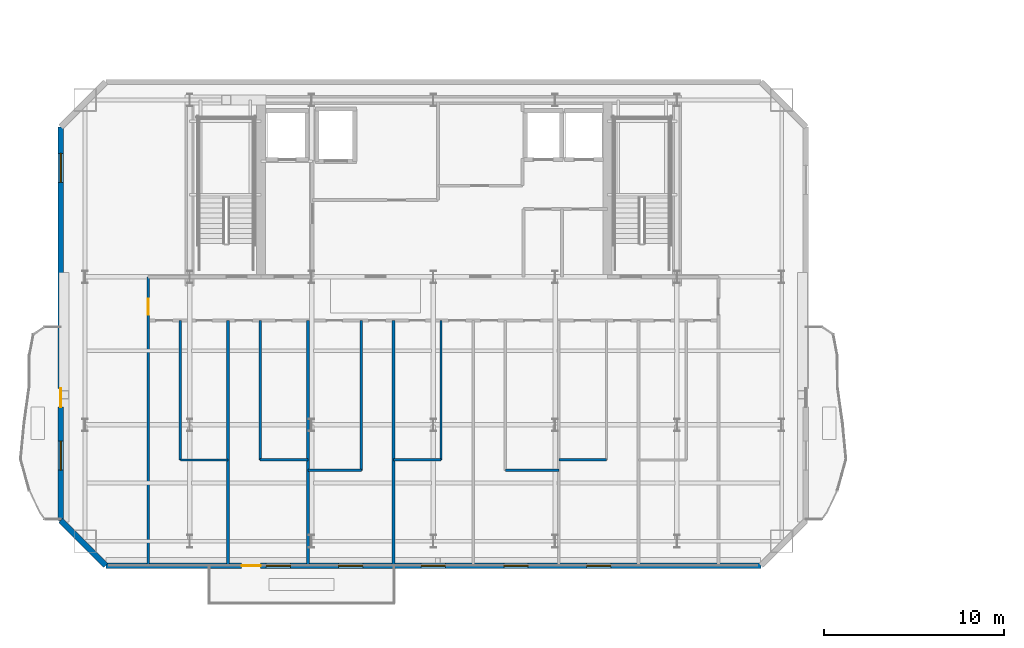
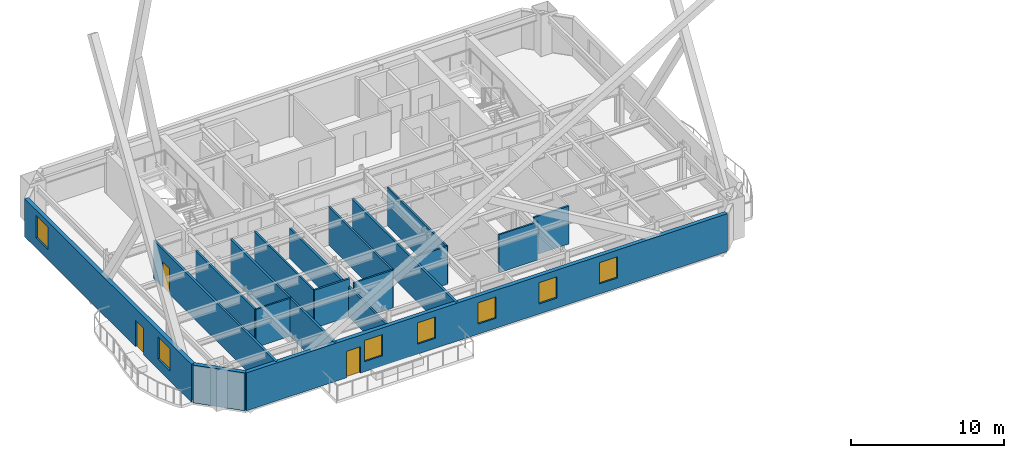
# One storey, part 10 of 20: 17 walls, 7 windows, 3 doors, 10 openings.
"""IFC4 building model written with IfcOpenShell, lengths in metres."""

from ifc_helpers import new_model, si_unit, direction, frame, frame_2d, origin, place, context, subcontext, project, spatial, rectangle, extrude, material, layer, layer_set, type_object, element, fill, save


model = new_model("IFC4")

# Units and contexts
model_context = context("Model", 3, precision=1e-05, world=origin(), true_north=direction((0.0, 1.0)))
body_context = subcontext(model_context, "Body", "Model", "MODEL_VIEW")
ifc_project = project(units=[si_unit("LENGTHUNIT", "METRE"), si_unit("AREAUNIT", "SQUARE_METRE"), si_unit("VOLUMEUNIT", "CUBIC_METRE"), si_unit("PLANEANGLEUNIT", "RADIAN"), si_unit("MASSUNIT", "GRAM", prefix="KILO")], contexts=[model_context])

# Site, building, storey
site_placement = place(None, origin())
site = spatial("IfcSite", under=ifc_project, at=site_placement, CompositionType="ELEMENT")
building_placement = place(site_placement, origin())
building = spatial("IfcBuilding", under=site, at=building_placement, Name="Haevon Station Towers", CompositionType="ELEMENT")
storey_placement = place(building_placement, frame((0.0, 0.0, 175.800048828125)))
storey = spatial("IfcBuildingStorey", under=building, at=storey_placement, Name="L48", CompositionType="ELEMENT", Elevation=175.800048828125)

# Wall, openings, door, windows
ifc_material_1 = material(Name="Precast concrete C45/55", Category="concrete")
ifc_layer_1 = layer(ifc_material_1, 0.300048828125)
ifc_layer_set_1 = layer_set([ifc_layer_1], Name="Precast concrete C45/55")
wall_type_1 = type_object("IfcWallType", Name="WL-EXT-PIER300", PredefinedType="SOLIDWALL", material=ifc_layer_set_1)
wall_1_placement = place(storey_placement, frame((55.64990234375, 22.199951171875, 0.0), z_axis=(0.0, 0.0, 1.0), x_axis=(-1.0, 0.0, 0.0)))
wall_1 = element("IfcWall", 1, at=wall_1_placement, inside=storey, type_object=wall_type_1, Name="WL-T1-L48-S", PredefinedType="SOLIDWALL", context=body_context, shape_type="SweptSolid", body=[
    extrude(rectangle(XDim=36.2998046875, YDim=0.300048828125, at=frame_2d((18.14990234375, 0.0))), origin(), (0.0, 0.0, 1.0), 3.030029296875),
])
opening_1_placement = place(wall_1_placement, frame((27.718505859375, 0.0, 0.0)))
opening_1 = element("IfcOpeningElement", 2, at=opening_1_placement, cuts=wall_1, Name="Opening DR-T1-PBAND-L48-1", PredefinedType="OPENING", context=body_context, shape_type="SweptSolid", body=[
    extrude(rectangle(XDim=1.050048828125, YDim=2.10009765625, at=frame_2d((0.52490234375, 1.050048828125))), frame((0.0, 0.159912109375, 0.0), z_axis=(0.0, -1.0, 0.0), x_axis=(1.0, 0.0, 0.0)), (0.0, 0.0, 1.0), 0.320068359375),
])
opening_2_placement = place(wall_1_placement, frame((26.060546875, 0.0, 0.800048828125)))
opening_2 = element("IfcOpeningElement", 3, at=opening_2_placement, cuts=wall_1, Name="Opening WN-P135", PredefinedType="OPENING", context=body_context, shape_type="SweptSolid", body=[
    extrude(rectangle(XDim=1.35009765625, YDim=1.699951171875, at=frame_2d((0.675048828125, 0.85009765625))), frame((0.0, 0.159912109375, 0.0), z_axis=(0.0, -1.0, 0.0), x_axis=(1.0, 0.0, 0.0)), (0.0, 0.0, 1.0), 0.320068359375),
])
opening_3_placement = place(wall_1_placement, frame((22.056884765625, 0.0, 0.800048828125)))
opening_3 = element("IfcOpeningElement", 4, at=opening_3_placement, cuts=wall_1, Name="Opening WN-P135", PredefinedType="OPENING", context=body_context, shape_type="SweptSolid", body=[
    extrude(rectangle(XDim=1.35009765625, YDim=1.699951171875, at=frame_2d((0.675048828125, 0.85009765625))), frame((0.0, 0.159912109375, 0.0), z_axis=(0.0, -1.0, 0.0), x_axis=(1.0, 0.0, 0.0)), (0.0, 0.0, 1.0), 0.320068359375),
])
opening_4_placement = place(wall_1_placement, frame((17.47509765625, 0.0, 0.800048828125)))
opening_4 = element("IfcOpeningElement", 5, at=opening_4_placement, cuts=wall_1, Name="Opening WN-P135", PredefinedType="OPENING", context=body_context, shape_type="SweptSolid", body=[
    extrude(rectangle(XDim=1.35009765625, YDim=1.699951171875, at=frame_2d((0.675048828125, 0.85009765625))), frame((0.0, 0.159912109375, 0.0), z_axis=(0.0, -1.0, 0.0), x_axis=(1.0, 0.0, 0.0)), (0.0, 0.0, 1.0), 0.320068359375),
])
opening_5_placement = place(wall_1_placement, frame((12.89306640625, 0.0, 0.800048828125)))
opening_5 = element("IfcOpeningElement", 6, at=opening_5_placement, cuts=wall_1, Name="Opening WN-P135", PredefinedType="OPENING", context=body_context, shape_type="SweptSolid", body=[
    extrude(rectangle(XDim=1.35009765625, YDim=1.699951171875, at=frame_2d((0.675048828125, 0.85009765625))), frame((0.0, 0.159912109375, 0.0), z_axis=(0.0, -1.0, 0.0), x_axis=(1.0, 0.0, 0.0)), (0.0, 0.0, 1.0), 0.320068359375),
])
opening_6_placement = place(wall_1_placement, frame((8.31103515625, 0.0, 0.800048828125)))
opening_6 = element("IfcOpeningElement", 7, at=opening_6_placement, cuts=wall_1, Name="Opening WN-P135", PredefinedType="OPENING", context=body_context, shape_type="SweptSolid", body=[
    extrude(rectangle(XDim=1.35009765625, YDim=1.699951171875, at=frame_2d((0.675048828125, 0.85009765625))), frame((0.0, 0.159912109375, 0.0), z_axis=(0.0, -1.0, 0.0), x_axis=(1.0, 0.0, 0.0)), (0.0, 0.0, 1.0), 0.320068359375),
])
ifc_material_2 = material(Name="Thermally broken anodised aluminium and laminated safety glass", Category="aluminium")
door_type_1 = type_object("IfcDoorType", Name="DR-BALC-1050", OperationType="NOTDEFINED", PredefinedType="DOOR", material=ifc_material_2)
door_1_placement = place(opening_1_placement, origin())
door_1 = element("IfcDoor", 8, at=door_1_placement, inside=storey, type_object=door_type_1, Name="Tower 1 L48 Balcony Terrace Door", OperationType="SINGLE_SWING_RIGHT", OverallHeight=2.10009765625, OverallWidth=1.050048828125, PredefinedType="DOOR", context=body_context, shape_type="SweptSolid", body=[
    extrude(rectangle(XDim=1.050048828125, YDim=2.10009765625, at=frame_2d((0.52490234375, 1.050048828125))), frame((0.0, 0.02490234375, 0.0), z_axis=(0.0, -1.0, 0.0), x_axis=(1.0, 0.0, 0.0)), (0.0, 0.0, 1.0), 0.050048828125),
])
fill(opening_1, door_1)
ifc_material_3 = material(Name="Low-E triple glazing in thermally broken aluminium", Category="aluminium")
window_type_1 = type_object("IfcWindowType", Name="WN-P135", PartitioningType="SINGLE_PANEL", PredefinedType="WINDOW", material=ifc_material_3)
window_1_placement = place(opening_2_placement, origin())
window_1 = element("IfcWindow", 9, at=window_1_placement, inside=storey, type_object=window_type_1, Name="WN-T1-L48-S01", OverallHeight=1.699951171875, OverallWidth=1.35009765625, PartitioningType="SINGLE_PANEL", PredefinedType="WINDOW", context=body_context, shape_type="SweptSolid", body=[
    extrude(rectangle(XDim=1.35009765625, YDim=1.699951171875, at=frame_2d((0.675048828125, 0.85009765625))), frame((0.0, 0.030029296875, 0.0), z_axis=(0.0, -1.0, 0.0), x_axis=(1.0, 0.0, 0.0)), (0.0, 0.0, 1.0), 0.06005859375),
])
fill(opening_2, window_1)
window_2_placement = place(opening_3_placement, origin())
window_2 = element("IfcWindow", 10, at=window_2_placement, inside=storey, type_object=window_type_1, Name="WN-T1-L48-S02", OverallHeight=1.699951171875, OverallWidth=1.35009765625, PartitioningType="SINGLE_PANEL", PredefinedType="WINDOW", context=body_context, shape_type="SweptSolid", body=[
    extrude(rectangle(XDim=1.35009765625, YDim=1.699951171875, at=frame_2d((0.675048828125, 0.85009765625))), frame((0.0, 0.030029296875, 0.0), z_axis=(0.0, -1.0, 0.0), x_axis=(1.0, 0.0, 0.0)), (0.0, 0.0, 1.0), 0.06005859375),
])
fill(opening_3, window_2)
window_3_placement = place(opening_4_placement, origin())
window_3 = element("IfcWindow", 11, at=window_3_placement, inside=storey, type_object=window_type_1, Name="WN-T1-L48-S03", OverallHeight=1.699951171875, OverallWidth=1.35009765625, PartitioningType="SINGLE_PANEL", PredefinedType="WINDOW", context=body_context, shape_type="SweptSolid", body=[
    extrude(rectangle(XDim=1.35009765625, YDim=1.699951171875, at=frame_2d((0.675048828125, 0.85009765625))), frame((0.0, 0.030029296875, 0.0), z_axis=(0.0, -1.0, 0.0), x_axis=(1.0, 0.0, 0.0)), (0.0, 0.0, 1.0), 0.06005859375),
])
fill(opening_4, window_3)
window_4_placement = place(opening_5_placement, origin())
window_4 = element("IfcWindow", 12, at=window_4_placement, inside=storey, type_object=window_type_1, Name="WN-T1-L48-S04", OverallHeight=1.699951171875, OverallWidth=1.35009765625, PartitioningType="SINGLE_PANEL", PredefinedType="WINDOW", context=body_context, shape_type="SweptSolid", body=[
    extrude(rectangle(XDim=1.35009765625, YDim=1.699951171875, at=frame_2d((0.675048828125, 0.85009765625))), frame((0.0, 0.030029296875, 0.0), z_axis=(0.0, -1.0, 0.0), x_axis=(1.0, 0.0, 0.0)), (0.0, 0.0, 1.0), 0.06005859375),
])
fill(opening_5, window_4)
window_5_placement = place(opening_6_placement, origin())
window_5 = element("IfcWindow", 13, at=window_5_placement, inside=storey, type_object=window_type_1, Name="WN-T1-L48-S05", OverallHeight=1.699951171875, OverallWidth=1.35009765625, PartitioningType="SINGLE_PANEL", PredefinedType="WINDOW", context=body_context, shape_type="SweptSolid", body=[
    extrude(rectangle(XDim=1.35009765625, YDim=1.699951171875, at=frame_2d((0.675048828125, 0.85009765625))), frame((0.0, 0.030029296875, 0.0), z_axis=(0.0, -1.0, 0.0), x_axis=(1.0, 0.0, 0.0)), (0.0, 0.0, 1.0), 0.06005859375),
])
fill(opening_6, window_5)

# Wall
wall_2_placement = place(storey_placement, frame((19.35009765625, 22.199951171875, 0.0), z_axis=(0.0, 0.0, 1.0), x_axis=(-0.707106781187, 0.707106781187, 0.0)))
element("IfcWall", 14, at=wall_2_placement, inside=storey, type_object=wall_type_1, Name="WL-T1-L48-SWC", PredefinedType="SOLIDWALL", context=body_context, shape_type="SweptSolid", body=[
    extrude(rectangle(XDim=3.53564453125, YDim=0.300048828125, at=frame_2d((1.767822265625, 0.0))), origin(), (0.0, 0.0, 1.0), 3.030029296875),
])

# Wall, openings, door, windows
wall_3_placement = place(storey_placement, frame((16.85009765625, 24.699951171875, 0.0), z_axis=(0.0, 0.0, 1.0), x_axis=(0.0, 1.0, 0.0)))
wall_3 = element("IfcWall", 15, at=wall_3_placement, inside=storey, type_object=wall_type_1, Name="WL-T1-L48-W", PredefinedType="SOLIDWALL", context=body_context, shape_type="SweptSolid", body=[
    extrude(rectangle(XDim=21.800048828125, YDim=0.300048828125, at=frame_2d((10.89990234375, 0.0))), origin(), (0.0, 0.0, 1.0), 3.030029296875),
])
opening_7_placement = place(wall_3_placement, frame((6.27490234375, 0.0, 0.0)))
opening_7 = element("IfcOpeningElement", 16, at=opening_7_placement, cuts=wall_3, Name="Opening DR-T1-SCAL-L48-W", PredefinedType="OPENING", context=body_context, shape_type="SweptSolid", body=[
    extrude(rectangle(XDim=1.050048828125, YDim=2.10009765625, at=frame_2d((0.52490234375, 1.050048828125))), frame((0.0, 0.159912109375, 0.0), z_axis=(0.0, -1.0, 0.0), x_axis=(1.0, 0.0, 0.0)), (0.0, 0.0, 1.0), 0.320068359375),
])
opening_8_placement = place(wall_3_placement, frame((2.79296875, 0.0, 0.800048828125)))
opening_8 = element("IfcOpeningElement", 17, at=opening_8_placement, cuts=wall_3, Name="Opening WN-END160", PredefinedType="OPENING", context=body_context, shape_type="SweptSolid", body=[
    extrude(rectangle(XDim=1.60009765625, YDim=1.800048828125, at=frame_2d((0.800048828125, 0.89990234375))), frame((0.0, 0.159912109375, 0.0), z_axis=(0.0, -1.0, 0.0), x_axis=(1.0, 0.0, 0.0)), (0.0, 0.0, 1.0), 0.320068359375),
])
opening_9_placement = place(wall_3_placement, frame((18.735595703125, 0.0, 0.800048828125)))
opening_9 = element("IfcOpeningElement", 18, at=opening_9_placement, cuts=wall_3, Name="Opening WN-END160", PredefinedType="OPENING", context=body_context, shape_type="SweptSolid", body=[
    extrude(rectangle(XDim=1.60009765625, YDim=1.800048828125, at=frame_2d((0.800048828125, 0.89990234375))), frame((0.0, 0.159912109375, 0.0), z_axis=(0.0, -1.0, 0.0), x_axis=(1.0, 0.0, 0.0)), (0.0, 0.0, 1.0), 0.320068359375),
])
door_2_placement = place(opening_7_placement, origin())
door_2 = element("IfcDoor", 19, at=door_2_placement, inside=storey, type_object=door_type_1, Name="Tower 1 L48 West Scalloped Balcony Door", OperationType="SINGLE_SWING_LEFT", OverallHeight=2.10009765625, OverallWidth=1.050048828125, PredefinedType="DOOR", context=body_context, shape_type="SweptSolid", body=[
    extrude(rectangle(XDim=1.050048828125, YDim=2.10009765625, at=frame_2d((0.52490234375, 1.050048828125))), frame((0.0, 0.02490234375, 0.0), z_axis=(0.0, -1.0, 0.0), x_axis=(1.0, 0.0, 0.0)), (0.0, 0.0, 1.0), 0.050048828125),
])
fill(opening_7, door_2)
window_type_2 = type_object("IfcWindowType", Name="WN-END160", PartitioningType="SINGLE_PANEL", PredefinedType="WINDOW", material=ifc_material_3)
window_6_placement = place(opening_8_placement, origin())
window_6 = element("IfcWindow", 20, at=window_6_placement, inside=storey, type_object=window_type_2, Name="WN-T1-L48-W01", OverallHeight=1.800048828125, OverallWidth=1.60009765625, PartitioningType="SINGLE_PANEL", PredefinedType="WINDOW", context=body_context, shape_type="SweptSolid", body=[
    extrude(rectangle(XDim=1.60009765625, YDim=1.800048828125, at=frame_2d((0.800048828125, 0.89990234375))), frame((0.0, 0.030029296875, 0.0), z_axis=(0.0, -1.0, 0.0), x_axis=(1.0, 0.0, 0.0)), (0.0, 0.0, 1.0), 0.06005859375),
])
fill(opening_8, window_6)
window_7_placement = place(opening_9_placement, origin())
window_7 = element("IfcWindow", 21, at=window_7_placement, inside=storey, type_object=window_type_2, Name="WN-T1-L48-W02", OverallHeight=1.800048828125, OverallWidth=1.60009765625, PartitioningType="SINGLE_PANEL", PredefinedType="WINDOW", context=body_context, shape_type="SweptSolid", body=[
    extrude(rectangle(XDim=1.60009765625, YDim=1.800048828125, at=frame_2d((0.800048828125, 0.89990234375))), frame((0.0, 0.030029296875, 0.0), z_axis=(0.0, -1.0, 0.0), x_axis=(1.0, 0.0, 0.0)), (0.0, 0.0, 1.0), 0.06005859375),
])
fill(opening_9, window_7)

# Walls
ifc_material_4 = material(Name="Gypsum board on steel stud", Category="steel")
ifc_layer_2 = layer(ifc_material_4, 0.125)
ifc_layer_set_2 = layer_set([ifc_layer_2], Name="Gypsum board on steel stud")
wall_type_2 = type_object("IfcWallType", Name="WL-PRT125", PredefinedType="PARTITIONING", material=ifc_layer_set_2)
wall_4_placement = place(storey_placement, frame((23.47998046875, 28.05224609375, 0.0), z_axis=(0.0, 0.0, 1.0), x_axis=(1.0, 0.0, 0.0)))
element("IfcWall", 22, at=wall_4_placement, inside=storey, type_object=wall_type_2, Name="WL-T1PT-L48-05", PredefinedType="PARTITIONING", context=body_context, shape_type="SweptSolid", body=[
    extrude(rectangle(XDim=2.64404296875, YDim=0.125, at=frame_2d((1.322021484375, 0.0))), origin(), (0.0, 0.0, 1.0), 3.030029296875),
])
wall_5_placement = place(storey_placement, frame((27.904052734375, 28.05224609375, 0.0), z_axis=(0.0, 0.0, 1.0), x_axis=(0.0, 1.0, 0.0)))
element("IfcWall", 23, at=wall_5_placement, inside=storey, type_object=wall_type_2, Name="WL-T1PT-L48-09", PredefinedType="PARTITIONING", context=body_context, shape_type="SweptSolid", body=[
    extrude(rectangle(XDim=7.727783203125, YDim=0.125, at=frame_2d((3.86376953125, 0.0))), origin(), (0.0, 0.0, 1.0), 3.030029296875),
])
wall_6_placement = place(storey_placement, frame((30.548095703125, 27.479248046875, 0.0), z_axis=(0.0, 0.0, 1.0), x_axis=(1.0, 0.0, 0.0)))
element("IfcWall", 24, at=wall_6_placement, inside=storey, type_object=wall_type_2, Name="WL-T1PT-L48-11", PredefinedType="PARTITIONING", context=body_context, shape_type="SweptSolid", body=[
    extrude(rectangle(XDim=2.9599609375, YDim=0.125, at=frame_2d((1.47998046875, 0.0))), origin(), (0.0, 0.0, 1.0), 3.030029296875),
])
wall_7_placement = place(storey_placement, frame((37.931884765625, 28.05224609375, 0.0), z_axis=(0.0, 0.0, 1.0), x_axis=(0.0, 1.0, 0.0)))
element("IfcWall", 25, at=wall_7_placement, inside=storey, type_object=wall_type_2, Name="WL-T1PT-L48-15", PredefinedType="PARTITIONING", context=body_context, shape_type="SweptSolid", body=[
    extrude(rectangle(XDim=7.727783203125, YDim=0.125, at=frame_2d((3.86376953125, 0.0))), origin(), (0.0, 0.0, 1.0), 3.030029296875),
])
wall_8_placement = place(storey_placement, frame((41.491943359375, 27.479248046875, 0.0), z_axis=(0.0, 0.0, 1.0), x_axis=(1.0, 0.0, 0.0)))
element("IfcWall", 26, at=wall_8_placement, inside=storey, type_object=wall_type_2, Name="WL-T1PT-L48-17", PredefinedType="PARTITIONING", context=body_context, shape_type="SweptSolid", body=[
    extrude(rectangle(XDim=2.9599609375, YDim=0.125, at=frame_2d((1.47998046875, 0.0))), origin(), (0.0, 0.0, 1.0), 3.030029296875),
])
ifc_layer_3 = layer(ifc_material_4, 0.139892578125)
ifc_layer_set_3 = layer_set([ifc_layer_3], Name="Gypsum board on steel stud")
wall_type_3 = type_object("IfcWallType", Name="WL-PRT140", PredefinedType="PARTITIONING", material=ifc_layer_set_3)
wall_9_placement = place(storey_placement, frame((23.47998046875, 28.05224609375, 0.0), z_axis=(0.0, 0.0, 1.0), x_axis=(0.0, 1.0, 0.0)))
element("IfcWall", 27, at=wall_9_placement, inside=storey, type_object=wall_type_3, Name="WL-T1PT-L48-06", PredefinedType="PARTITIONING", context=body_context, shape_type="SweptSolid", body=[
    extrude(rectangle(XDim=7.727783203125, YDim=0.139892578125, at=frame_2d((3.86376953125, 0.0))), origin(), (0.0, 0.0, 1.0), 3.030029296875),
])
wall_10_placement = place(storey_placement, frame((27.904052734375, 28.05224609375, 0.0), z_axis=(0.0, 0.0, 1.0), x_axis=(1.0, 0.0, 0.0)))
element("IfcWall", 28, at=wall_10_placement, inside=storey, type_object=wall_type_3, Name="WL-T1PT-L48-08", PredefinedType="PARTITIONING", context=body_context, shape_type="SweptSolid", body=[
    extrude(rectangle(XDim=2.64404296875, YDim=0.139892578125, at=frame_2d((1.322021484375, 0.0))), origin(), (0.0, 0.0, 1.0), 3.030029296875),
])
wall_11_placement = place(storey_placement, frame((33.508056640625, 27.479248046875, 0.0), z_axis=(0.0, 0.0, 1.0), x_axis=(0.0, 1.0, 0.0)))
element("IfcWall", 29, at=wall_11_placement, inside=storey, type_object=wall_type_3, Name="WL-T1PT-L48-12", PredefinedType="PARTITIONING", context=body_context, shape_type="SweptSolid", body=[
    extrude(rectangle(XDim=8.30078125, YDim=0.139892578125, at=frame_2d((4.150390625, 0.0))), origin(), (0.0, 0.0, 1.0), 3.030029296875),
])
wall_12_placement = place(storey_placement, frame((35.2880859375, 28.05224609375, 0.0), z_axis=(0.0, 0.0, 1.0), x_axis=(1.0, 0.0, 0.0)))
element("IfcWall", 30, at=wall_12_placement, inside=storey, type_object=wall_type_3, Name="WL-T1PT-L48-14", PredefinedType="PARTITIONING", context=body_context, shape_type="SweptSolid", body=[
    extrude(rectangle(XDim=2.643798828125, YDim=0.139892578125, at=frame_2d((1.32177734375, 0.0))), origin(), (0.0, 0.0, 1.0), 3.030029296875),
])
wall_13_placement = place(storey_placement, frame((44.451904296875, 28.05224609375, 0.0), z_axis=(0.0, 0.0, 1.0), x_axis=(1.0, 0.0, 0.0)))
element("IfcWall", 31, at=wall_13_placement, inside=storey, type_object=wall_type_3, Name="WL-T1PT-L48-20", PredefinedType="PARTITIONING", context=body_context, shape_type="SweptSolid", body=[
    extrude(rectangle(XDim=2.64404296875, YDim=0.139892578125, at=frame_2d((1.322021484375, 0.0))), origin(), (0.0, 0.0, 1.0), 3.030029296875),
])

# Wall, opening, door
ifc_layer_4 = layer(ifc_material_4, 0.159912109375)
ifc_layer_set_4 = layer_set([ifc_layer_4], Name="Gypsum board on steel stud")
wall_type_4 = type_object("IfcWallType", Name="WL-PRT160", PredefinedType="PARTITIONING", material=ifc_layer_set_4)
wall_14_placement = place(storey_placement, frame((21.699951171875, 22.199951171875, 0.0), z_axis=(0.0, 0.0, 1.0), x_axis=(0.0, 1.0, 0.0)))
wall_14 = element("IfcWall", 32, at=wall_14_placement, inside=storey, type_object=wall_type_4, Name="WL-T1PT-L48-03", PredefinedType="PARTITIONING", context=body_context, shape_type="SweptSolid", body=[
    extrude(rectangle(XDim=16.0, YDim=0.159912109375, at=frame_2d((8.0, 0.0))), origin(), (0.0, 0.0, 1.0), 3.030029296875),
])
opening_10_placement = place(wall_14_placement, frame((13.89990234375, 0.0, 0.0)))
opening_10 = element("IfcOpeningElement", 33, at=opening_10_placement, cuts=wall_14, Name="Opening DR-WL-T1PT-L48-03-01", PredefinedType="OPENING", context=body_context, shape_type="SweptSolid", body=[
    extrude(rectangle(XDim=0.89990234375, YDim=2.050048828125, at=frame_2d((0.449951171875, 1.02490234375))), frame((0.0, 0.08984375, 0.0), z_axis=(0.0, -1.0, 0.0), x_axis=(1.0, 0.0, 0.0)), (0.0, 0.0, 1.0), 0.179931640625),
])
ifc_material_5 = material(Name="Engineered oak timber", Category="wood")
door_type_2 = type_object("IfcDoorType", Name="DR-INT-900", OperationType="NOTDEFINED", PredefinedType="DOOR", material=ifc_material_5)
door_3_placement = place(opening_10_placement, origin())
door_3 = element("IfcDoor", 34, at=door_3_placement, inside=storey, type_object=door_type_2, Name="L48 Tower 1 Room Door 3-1", OperationType="SINGLE_SWING_LEFT", OverallHeight=2.050048828125, OverallWidth=0.89990234375, PredefinedType="DOOR", context=body_context, shape_type="SweptSolid", body=[
    extrude(rectangle(XDim=0.89990234375, YDim=2.050048828125, at=frame_2d((0.449951171875, 1.02490234375))), frame((0.0, 0.02490234375, 0.0), z_axis=(0.0, -1.0, 0.0), x_axis=(1.0, 0.0, 0.0)), (0.0, 0.0, 1.0), 0.050048828125),
])
fill(opening_10, door_3)

# Walls
wall_15_placement = place(storey_placement, frame((26.1240234375, 22.199951171875, 0.0), z_axis=(0.0, 0.0, 1.0), x_axis=(0.0, 1.0, 0.0)))
element("IfcWall", 35, at=wall_15_placement, inside=storey, type_object=wall_type_4, Name="WL-T1PT-L48-07", PredefinedType="PARTITIONING", context=body_context, shape_type="SweptSolid", body=[
    extrude(rectangle(XDim=13.580078125, YDim=0.159912109375, at=frame_2d((6.7900390625, 0.0))), origin(), (0.0, 0.0, 1.0), 3.030029296875),
])
wall_16_placement = place(storey_placement, frame((30.548095703125, 22.199951171875, 0.0), z_axis=(0.0, 0.0, 1.0), x_axis=(0.0, 1.0, 0.0)))
element("IfcWall", 36, at=wall_16_placement, inside=storey, type_object=wall_type_4, Name="WL-T1PT-L48-10", PredefinedType="PARTITIONING", context=body_context, shape_type="SweptSolid", body=[
    extrude(rectangle(XDim=13.580078125, YDim=0.159912109375, at=frame_2d((6.7900390625, 0.0))), origin(), (0.0, 0.0, 1.0), 2.3798828125),
])
wall_17_placement = place(storey_placement, frame((35.2880859375, 22.199951171875, 0.0), z_axis=(0.0, 0.0, 1.0), x_axis=(0.0, 1.0, 0.0)))
element("IfcWall", 37, at=wall_17_placement, inside=storey, type_object=wall_type_4, Name="WL-T1PT-L48-13", PredefinedType="PARTITIONING", context=body_context, shape_type="SweptSolid", body=[
    extrude(rectangle(XDim=13.580078125, YDim=0.159912109375, at=frame_2d((6.7900390625, 0.0))), origin(), (0.0, 0.0, 1.0), 3.030029296875),
])

save(model, "model.ifc")
